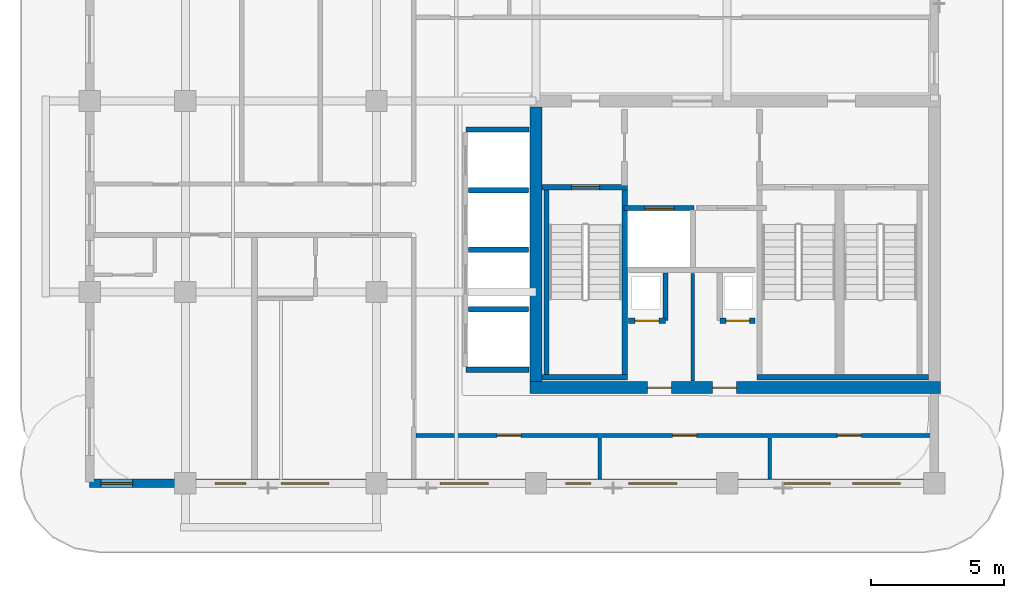
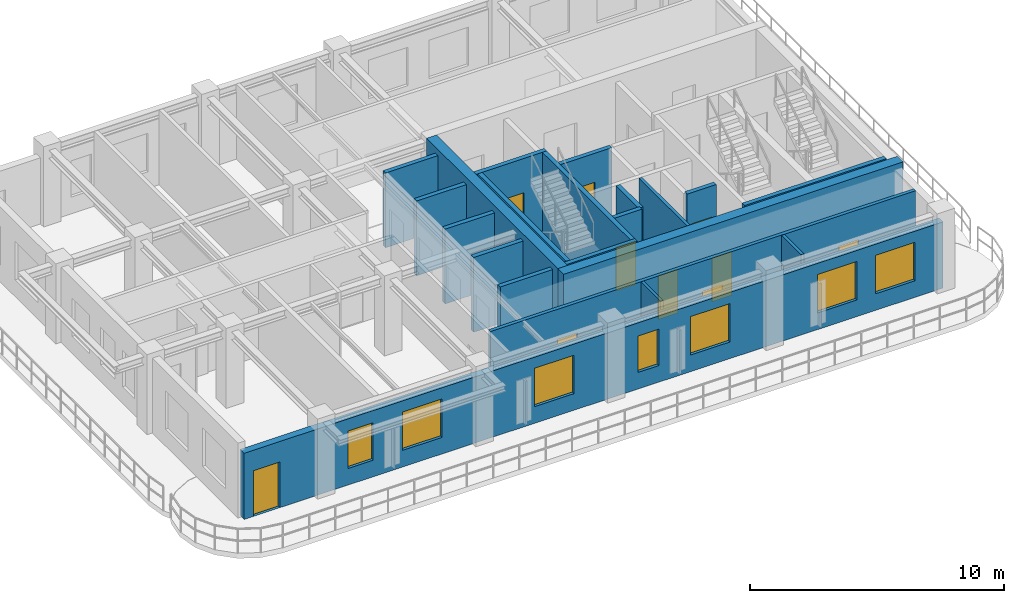
# One storey, part 3 of 8: 21 walls, 10 doors, 7 windows, 17 openings.
"""IFC4 building model written with IfcOpenShell, lengths in metres."""

from ifc_helpers import new_model, si_unit, derived_unit, direction, frame, frame_2d, origin, place, context, subcontext, project, spatial, rectangle, extrude, source, transform, mapped, material, layer, layer_set, type_object, type_shapes, element, fill, save


model = new_model("IFC4")

# Units and contexts
model_context = context("Model", 3, precision=1e-05, world=origin(), true_north=direction((0.0, 1.0)))
body_context = subcontext(model_context, "Body", "Model", "MODEL_VIEW")
ifc_project = project(units=[si_unit("LENGTHUNIT", "METRE"), si_unit("AREAUNIT", "SQUARE_METRE"), si_unit("VOLUMEUNIT", "CUBIC_METRE"), si_unit("PLANEANGLEUNIT", "RADIAN"), si_unit("MASSUNIT", "GRAM", prefix="KILO"), si_unit("THERMODYNAMICTEMPERATUREUNIT", "KELVIN"), si_unit("POWERUNIT", "WATT"), derived_unit("THERMALTRANSMITTANCEUNIT", [(si_unit("POWERUNIT", "WATT"), 1), (si_unit("AREAUNIT", "SQUARE_METRE"), -1), (si_unit("THERMODYNAMICTEMPERATUREUNIT", "KELVIN"), -1)])], contexts=[model_context])

# Site, building, storey
site_placement = place(None, origin())
site = spatial("IfcSite", under=ifc_project, at=site_placement, CompositionType="ELEMENT")
building_placement = place(site_placement, origin())
building = spatial("IfcBuilding", under=site, at=building_placement, Name="Zahravan Archway Hotel and Residences", CompositionType="ELEMENT")
storey_placement = place(building_placement, frame((0.0, 0.0, 263.5)))
storey = spatial("IfcBuildingStorey", under=building, at=storey_placement, Name="L66", CompositionType="ELEMENT", Elevation=263.5)

# Wall, openings, doors
ifc_material_1 = material(Name="Concrete C50/60", Category="concrete")
ifc_layer_1 = layer(ifc_material_1, 0.449951171875, Name="Concrete C50/60", Category="concrete")
ifc_layer_set_1 = layer_set([ifc_layer_1], Name="Concrete C50/60")
wall_type_1 = type_object("IfcWallType", Name="CW-CORE-450", PredefinedType="SHEAR", material=ifc_layer_set_1)
wall_1_placement = place(storey_placement, frame((34.574951171875, 3.60009765625, 0.0), z_axis=(0.0, 0.0, 1.0), x_axis=(1.0, 0.0, 0.0)))
wall_1 = element("IfcWall", 1, at=wall_1_placement, inside=storey, type_object=wall_type_1, Name="L66 Core A Shear S Wall 450 mm", PredefinedType="SHEAR", context=body_context, shape_type="SweptSolid", body=[
    extrude(rectangle(XDim=15.449951171875, YDim=0.449951171875, at=frame_2d((7.72509765625, 0.0))), origin(), (0.0, 0.0, 1.0), 3.85009765625),
])
opening_1_placement = place(wall_1_placement, frame((4.425048828125, 0.0, 0.0)))
opening_1 = element("IfcOpeningElement", 2, at=opening_1_placement, cuts=wall_1, Name="Opening FD-R1", PredefinedType="OPENING", context=body_context, shape_type="SweptSolid", body=[
    extrude(rectangle(XDim=0.89990234375, YDim=2.10009765625, at=frame_2d((0.449951171875, 1.050048828125))), frame((0.0, 0.23486328125, 0.0), z_axis=(0.0, -1.0, 0.0), x_axis=(1.0, 0.0, 0.0)), (0.0, 0.0, 1.0), 0.469970703125),
])
opening_2_placement = place(wall_1_placement, frame((6.875, 0.0, 0.0)))
opening_2 = element("IfcOpeningElement", 3, at=opening_2_placement, cuts=wall_1, Name="Opening FD-R1", PredefinedType="OPENING", context=body_context, shape_type="SweptSolid", body=[
    extrude(rectangle(XDim=0.89990234375, YDim=2.10009765625, at=frame_2d((0.449951171875, 1.050048828125))), frame((0.0, 0.23486328125, 0.0), z_axis=(0.0, -1.0, 0.0), x_axis=(1.0, 0.0, 0.0)), (0.0, 0.0, 1.0), 0.469970703125),
])
ifc_material_2 = material(Name="Fire-Rated Painted Steel", Category="steel")
door_type_1 = type_object("IfcDoorType", Name="FD-RISER-900", OperationType="NOTDEFINED", PredefinedType="DOOR", material=ifc_material_2)
shared_shape_1 = source(origin(), body_context, "Body", "SweptSolid", [
    extrude(rectangle(XDim=0.89990234375, YDim=2.10009765625, at=frame_2d((0.449951171875, 1.050048828125))), frame((0.0, 0.02490234375, 0.0), z_axis=(0.0, -1.0, 0.0), x_axis=(1.0, 0.0, 0.0)), (0.0, 0.0, 1.0), 0.050048828125),
])
type_shapes(door_type_1, [shared_shape_1])
door_1_placement = place(opening_1_placement, origin())
door_1 = element("IfcDoor", 4, at=door_1_placement, inside=storey, type_object=door_type_1, Name="L66 Electrical Switchgear Door", OperationType="SINGLE_SWING_RIGHT", OverallHeight=2.10009765625, OverallWidth=0.89990234375, PredefinedType="DOOR", context=body_context, shape_type="MappedRepresentation", body=[
    mapped(shared_shape_1, transform((0.0, 0.0, 0.0), scale=1.0)),
])
fill(opening_1, door_1)
door_2_placement = place(opening_2_placement, origin())
door_2 = element("IfcDoor", 5, at=door_2_placement, inside=storey, type_object=door_type_1, Name="L66 Telecom BMS Door", OperationType="SINGLE_SWING_LEFT", OverallHeight=2.10009765625, OverallWidth=0.89990234375, PredefinedType="DOOR", context=body_context, shape_type="MappedRepresentation", body=[
    mapped(shared_shape_1, transform((0.0, 0.0, 0.0), scale=1.0)),
])
fill(opening_2, door_2)

# Wall
wall_2_placement = place(storey_placement, frame((34.800048828125, 3.824951171875, 0.0), z_axis=(0.0, 0.0, 1.0), x_axis=(0.0, 1.0, 0.0)))
element("IfcWall", 6, at=wall_2_placement, inside=storey, type_object=wall_type_1, Name="L66 Core A Shear W Wall 450 mm", PredefinedType="SHEAR", context=body_context, shape_type="SweptSolid", body=[
    extrude(rectangle(XDim=10.35009765625, YDim=0.449951171875, at=frame_2d((5.175048828125, 0.0))), origin(), (0.0, 0.0, 1.0), 3.85009765625),
])

# Wall, openings, door, windows
ifc_material_3 = material(Name="Agra Buff Sandstone & Insulated Backup", Category="masonry")
ifc_layer_2 = layer(ifc_material_3, 0.320068359375, Name="Agra Buff Sandstone & Insulated Backup", Category="masonry")
ifc_layer_set_2 = layer_set([ifc_layer_2], Name="Agra Buff Sandstone & Insulated Backup")
wall_type_2 = type_object("IfcWallType", Name="EW-SAND-320", PredefinedType="SOLIDWALL", material=ifc_layer_set_2)
wall_3_placement = place(storey_placement, frame((18.0, 0.0, 0.0), z_axis=(0.0, 0.0, 1.0), x_axis=(1.0, 0.0, 0.0)))
wall_3 = element("IfcWall", 7, at=wall_3_placement, inside=storey, type_object=wall_type_2, Name="L66 Exterior Sandstone Wall WA-S", PredefinedType="SOLIDWALL", context=body_context, shape_type="SweptSolid", body=[
    extrude(rectangle(XDim=31.800048828125, YDim=0.320068359375, at=frame_2d((15.89990234375, 0.0))), origin(), (0.0, 0.0, 1.0), 3.18505859375),
])
opening_3_placement = place(wall_3_placement, frame((0.419921875, 0.0, 0.0)))
opening_3 = element("IfcOpeningElement", 8, at=opening_3_placement, cuts=wall_3, Name="Opening ED-BL1", PredefinedType="OPENING", context=body_context, shape_type="SweptSolid", body=[
    extrude(rectangle(XDim=1.199951171875, YDim=2.199951171875, at=frame_2d((0.60009765625, 1.10009765625))), frame((0.0, 0.169921875, 0.0), z_axis=(0.0, -1.0, 0.0), x_axis=(1.0, 0.0, 0.0)), (0.0, 0.0, 1.0), 0.340087890625),
])
opening_4_placement = place(wall_3_placement, frame((4.720947265625, 0.0, 0.800048828125)))
opening_4 = element("IfcOpeningElement", 9, at=opening_4_placement, cuts=wall_3, Name="Opening W-05", PredefinedType="OPENING", context=body_context, shape_type="SweptSolid", body=[
    extrude(rectangle(XDim=1.14990234375, YDim=1.800048828125, at=frame_2d((0.574951171875, 0.89990234375))), frame((0.0, 0.169921875, 0.0), z_axis=(0.0, -1.0, 0.0), x_axis=(1.0, 0.0, 0.0)), (0.0, 0.0, 1.0), 0.340087890625),
])
opening_5_placement = place(wall_3_placement, frame((7.2041015625, 0.0, 0.800048828125)))
opening_5 = element("IfcOpeningElement", 10, at=opening_5_placement, cuts=wall_3, Name="Opening W-02", PredefinedType="OPENING", context=body_context, shape_type="SweptSolid", body=[
    extrude(rectangle(XDim=1.800048828125, YDim=1.85009765625, at=frame_2d((0.89990234375, 0.925048828125))), frame((0.0, 0.169921875, 0.0), z_axis=(0.0, -1.0, 0.0), x_axis=(1.0, 0.0, 0.0)), (0.0, 0.0, 1.0), 0.340087890625),
])
opening_6_placement = place(wall_3_placement, frame((13.2041015625, 0.0, 0.800048828125)))
opening_6 = element("IfcOpeningElement", 11, at=opening_6_placement, cuts=wall_3, Name="Opening W-02", PredefinedType="OPENING", context=body_context, shape_type="SweptSolid", body=[
    extrude(rectangle(XDim=1.800048828125, YDim=1.85009765625, at=frame_2d((0.89990234375, 0.925048828125))), frame((0.0, 0.169921875, 0.0), z_axis=(0.0, -1.0, 0.0), x_axis=(1.0, 0.0, 0.0)), (0.0, 0.0, 1.0), 0.340087890625),
])
opening_7_placement = place(wall_3_placement, frame((17.9208984375, 0.0, 0.800048828125)))
opening_7 = element("IfcOpeningElement", 12, at=opening_7_placement, cuts=wall_3, Name="Opening W-04", PredefinedType="OPENING", context=body_context, shape_type="SweptSolid", body=[
    extrude(rectangle(XDim=0.949951171875, YDim=1.75, at=frame_2d((0.47509765625, 0.875))), frame((0.0, 0.169921875, 0.0), z_axis=(0.0, -1.0, 0.0), x_axis=(1.0, 0.0, 0.0)), (0.0, 0.0, 1.0), 0.340087890625),
])
opening_8_placement = place(wall_3_placement, frame((20.303955078125, 0.0, 0.800048828125)))
opening_8 = element("IfcOpeningElement", 13, at=opening_8_placement, cuts=wall_3, Name="Opening W-02", PredefinedType="OPENING", context=body_context, shape_type="SweptSolid", body=[
    extrude(rectangle(XDim=1.800048828125, YDim=1.85009765625, at=frame_2d((0.89990234375, 0.925048828125))), frame((0.0, 0.169921875, 0.0), z_axis=(0.0, -1.0, 0.0), x_axis=(1.0, 0.0, 0.0)), (0.0, 0.0, 1.0), 0.340087890625),
])
opening_9_placement = place(wall_3_placement, frame((26.0810546875, 0.0, 0.800048828125)))
opening_9 = element("IfcOpeningElement", 14, at=opening_9_placement, cuts=wall_3, Name="Opening W-02", PredefinedType="OPENING", context=body_context, shape_type="SweptSolid", body=[
    extrude(rectangle(XDim=1.800048828125, YDim=1.85009765625, at=frame_2d((0.89990234375, 0.925048828125))), frame((0.0, 0.169921875, 0.0), z_axis=(0.0, -1.0, 0.0), x_axis=(1.0, 0.0, 0.0)), (0.0, 0.0, 1.0), 0.340087890625),
])
opening_10_placement = place(wall_3_placement, frame((28.72705078125, 0.0, 0.800048828125)))
opening_10 = element("IfcOpeningElement", 15, at=opening_10_placement, cuts=wall_3, Name="Opening W-02", PredefinedType="OPENING", context=body_context, shape_type="SweptSolid", body=[
    extrude(rectangle(XDim=1.800048828125, YDim=1.85009765625, at=frame_2d((0.89990234375, 0.925048828125))), frame((0.0, 0.169921875, 0.0), z_axis=(0.0, -1.0, 0.0), x_axis=(1.0, 0.0, 0.0)), (0.0, 0.0, 1.0), 0.340087890625),
])
ifc_material_4 = material(Name="Bronze-Anodized Glazed Aluminium", Category="aluminium")
door_type_2 = type_object("IfcDoorType", Name="ED-BALC-1200", OperationType="SLIDING_TO_LEFT", PredefinedType="DOOR", material=ifc_material_4)
shared_shape_2 = source(origin(), body_context, "Body", "SweptSolid", [
    extrude(rectangle(XDim=1.199951171875, YDim=2.199951171875, at=frame_2d((0.60009765625, 1.10009765625))), frame((0.0, 0.02490234375, 0.0), z_axis=(0.0, -1.0, 0.0), x_axis=(1.0, 0.0, 0.0)), (0.0, 0.0, 1.0), 0.050048828125),
])
type_shapes(door_type_2, [shared_shape_2])
door_3_placement = place(opening_3_placement, origin())
door_3 = element("IfcDoor", 16, at=door_3_placement, inside=storey, type_object=door_type_2, Name="L66 Outdoor Access Sliding Door (SLB-BAL-L66-SA)", OperationType="SLIDING_TO_LEFT", OverallHeight=2.199951171875, OverallWidth=1.199951171875, PredefinedType="DOOR", context=body_context, shape_type="MappedRepresentation", body=[
    mapped(shared_shape_2, transform((0.0, 0.0, 0.0), scale=1.0)),
])
fill(opening_3, door_3)
ifc_material_5 = material(Name="Bronze-Anodized Thermal-Break Aluminium & Low-E Glass", Category="aluminium")
window_type_1 = type_object("IfcWindowType", Name="WIN-NAR-950", PartitioningType="SINGLE_PANEL", PredefinedType="WINDOW", material=ifc_material_5)
shared_shape_3 = source(origin(), body_context, "Body", "SweptSolid", [
    extrude(rectangle(XDim=0.949951171875, YDim=1.75, at=frame_2d((0.47509765625, 0.875))), frame((0.0, 0.030029296875, 0.0), z_axis=(0.0, -1.0, 0.0), x_axis=(1.0, 0.0, 0.0)), (0.0, 0.0, 1.0), 0.06005859375),
])
type_shapes(window_type_1, [shared_shape_3])
window_1_placement = place(opening_7_placement, origin())
window_1 = element("IfcWindow", 17, at=window_1_placement, inside=storey, type_object=window_type_1, Name="L66 Loggia Window 04", OverallHeight=1.75, OverallWidth=0.949951171875, PartitioningType="SINGLE_PANEL", PredefinedType="WINDOW", context=body_context, shape_type="MappedRepresentation", body=[
    mapped(shared_shape_3, transform((0.0, 0.0, 0.0), scale=1.0)),
])
fill(opening_7, window_1)
window_type_2 = type_object("IfcWindowType", Name="WIN-TWR-1800", PartitioningType="DOUBLE_PANEL_VERTICAL", PredefinedType="WINDOW", material=ifc_material_5)
shared_shape_4 = source(origin(), body_context, "Body", "SweptSolid", [
    extrude(rectangle(XDim=1.800048828125, YDim=1.85009765625, at=frame_2d((0.89990234375, 0.925048828125))), frame((0.0, 0.030029296875, 0.0), z_axis=(0.0, -1.0, 0.0), x_axis=(1.0, 0.0, 0.0)), (0.0, 0.0, 1.0), 0.06005859375),
])
type_shapes(window_type_2, [shared_shape_4])
window_2_placement = place(opening_5_placement, origin())
window_2 = element("IfcWindow", 18, at=window_2_placement, inside=storey, type_object=window_type_2, Name="L66 Loggia Window 02", OverallHeight=1.85009765625, OverallWidth=1.800048828125, PartitioningType="DOUBLE_PANEL_VERTICAL", PredefinedType="WINDOW", context=body_context, shape_type="MappedRepresentation", body=[
    mapped(shared_shape_4, transform((0.0, 0.0, 0.0), scale=1.0)),
])
fill(opening_5, window_2)
window_3_placement = place(opening_6_placement, origin())
window_3 = element("IfcWindow", 19, at=window_3_placement, inside=storey, type_object=window_type_2, Name="L66 Loggia Window 03", OverallHeight=1.85009765625, OverallWidth=1.800048828125, PartitioningType="DOUBLE_PANEL_VERTICAL", PredefinedType="WINDOW", context=body_context, shape_type="MappedRepresentation", body=[
    mapped(shared_shape_4, transform((0.0, 0.0, 0.0), scale=1.0)),
])
fill(opening_6, window_3)
window_4_placement = place(opening_8_placement, origin())
window_4 = element("IfcWindow", 20, at=window_4_placement, inside=storey, type_object=window_type_2, Name="L66 Loggia Window 05", OverallHeight=1.85009765625, OverallWidth=1.800048828125, PartitioningType="DOUBLE_PANEL_VERTICAL", PredefinedType="WINDOW", context=body_context, shape_type="MappedRepresentation", body=[
    mapped(shared_shape_4, transform((0.0, 0.0, 0.0), scale=1.0)),
])
fill(opening_8, window_4)
window_5_placement = place(opening_9_placement, origin())
window_5 = element("IfcWindow", 21, at=window_5_placement, inside=storey, type_object=window_type_2, Name="L66 Loggia Window 06", OverallHeight=1.85009765625, OverallWidth=1.800048828125, PartitioningType="DOUBLE_PANEL_VERTICAL", PredefinedType="WINDOW", context=body_context, shape_type="MappedRepresentation", body=[
    mapped(shared_shape_4, transform((0.0, 0.0, 0.0), scale=1.0)),
])
fill(opening_9, window_5)
window_6_placement = place(opening_10_placement, origin())
window_6 = element("IfcWindow", 22, at=window_6_placement, inside=storey, type_object=window_type_2, Name="L66 Loggia Window 07", OverallHeight=1.85009765625, OverallWidth=1.800048828125, PartitioningType="DOUBLE_PANEL_VERTICAL", PredefinedType="WINDOW", context=body_context, shape_type="MappedRepresentation", body=[
    mapped(shared_shape_4, transform((0.0, 0.0, 0.0), scale=1.0)),
])
fill(opening_10, window_6)
window_type_3 = type_object("IfcWindowType", Name="WIN-TWR-1150", PartitioningType="SINGLE_PANEL", PredefinedType="WINDOW", material=ifc_material_5)
shared_shape_5 = source(origin(), body_context, "Body", "SweptSolid", [
    extrude(rectangle(XDim=1.14990234375, YDim=1.800048828125, at=frame_2d((0.574951171875, 0.89990234375))), frame((0.0, 0.030029296875, 0.0), z_axis=(0.0, -1.0, 0.0), x_axis=(1.0, 0.0, 0.0)), (0.0, 0.0, 1.0), 0.06005859375),
])
type_shapes(window_type_3, [shared_shape_5])
window_7_placement = place(opening_4_placement, origin())
window_7 = element("IfcWindow", 23, at=window_7_placement, inside=storey, type_object=window_type_3, Name="L66 Loggia Window 01", OverallHeight=1.800048828125, OverallWidth=1.14990234375, PartitioningType="SINGLE_PANEL", PredefinedType="WINDOW", context=body_context, shape_type="MappedRepresentation", body=[
    mapped(shared_shape_5, transform((0.0, 0.0, 0.0), scale=1.0)),
])
fill(opening_4, window_7)

# Wall, openings, doors
ifc_material_6 = material(Name="Fire-Rated Gypsum & Concrete Block", Category="concrete")
ifc_layer_3 = layer(ifc_material_6, 0.159912109375, Name="Fire-Rated Gypsum & Concrete Block", Category="concrete")
ifc_layer_set_3 = layer_set([ifc_layer_3], Name="Fire-Rated Gypsum & Concrete Block")
wall_type_3 = type_object("IfcWallType", Name="PW-CORR-160", PredefinedType="PARTITIONING", material=ifc_layer_set_3)
wall_4_placement = place(storey_placement, frame((30.2900390625, 1.800048828125, 0.0), z_axis=(0.0, 0.0, 1.0), x_axis=(1.0, 0.0, 0.0)))
wall_4 = element("IfcWall", 24, at=wall_4_placement, inside=storey, type_object=wall_type_3, Name="L66 Partition WA-SRS", PredefinedType="PARTITIONING", context=body_context, shape_type="SweptSolid", body=[
    extrude(rectangle(XDim=19.369873046875, YDim=0.159912109375, at=frame_2d((9.68505859375, 0.0))), origin(), (0.0, 0.0, 1.0), 3.60009765625),
])
opening_11_placement = place(wall_4_placement, frame((3.0537109375, 0.0, 0.0)))
opening_11 = element("IfcOpeningElement", 25, at=opening_11_placement, cuts=wall_4, Name="Opening D-I2", PredefinedType="OPENING", context=body_context, shape_type="SweptSolid", body=[
    extrude(rectangle(XDim=0.89990234375, YDim=2.14990234375, at=frame_2d((0.449951171875, 1.074951171875))), frame((0.0, 0.08984375, 0.0), z_axis=(0.0, -1.0, 0.0), x_axis=(1.0, 0.0, 0.0)), (0.0, 0.0, 1.0), 0.179931640625),
])
opening_12_placement = place(wall_4_placement, frame((9.659912109375, 0.0, 0.0)))
opening_12 = element("IfcOpeningElement", 26, at=opening_12_placement, cuts=wall_4, Name="Opening D-I2", PredefinedType="OPENING", context=body_context, shape_type="SweptSolid", body=[
    extrude(rectangle(XDim=0.89990234375, YDim=2.14990234375, at=frame_2d((0.449951171875, 1.074951171875))), frame((0.0, 0.08984375, 0.0), z_axis=(0.0, -1.0, 0.0), x_axis=(1.0, 0.0, 0.0)), (0.0, 0.0, 1.0), 0.179931640625),
])
opening_13_placement = place(wall_4_placement, frame((15.860107421875, 0.0, 0.0)))
opening_13 = element("IfcOpeningElement", 27, at=opening_13_placement, cuts=wall_4, Name="Opening D-I2", PredefinedType="OPENING", context=body_context, shape_type="SweptSolid", body=[
    extrude(rectangle(XDim=0.89990234375, YDim=2.14990234375, at=frame_2d((0.449951171875, 1.074951171875))), frame((0.0, 0.08984375, 0.0), z_axis=(0.0, -1.0, 0.0), x_axis=(1.0, 0.0, 0.0)), (0.0, 0.0, 1.0), 0.179931640625),
])
ifc_material_7 = material(Name="Hardwood Veneer Timber", Category="wood")
door_type_3 = type_object("IfcDoorType", Name="ID-INT-900", OperationType="NOTDEFINED", PredefinedType="DOOR", material=ifc_material_7)
shared_shape_6 = source(origin(), body_context, "Body", "SweptSolid", [
    extrude(rectangle(XDim=0.89990234375, YDim=2.14990234375, at=frame_2d((0.449951171875, 1.074951171875))), frame((0.0, 0.02490234375, 0.0), z_axis=(0.0, -1.0, 0.0), x_axis=(1.0, 0.0, 0.0)), (0.0, 0.0, 1.0), 0.050048828125),
])
type_shapes(door_type_3, [shared_shape_6])
door_4_placement = place(opening_11_placement, origin())
door_4 = element("IfcDoor", 28, at=door_4_placement, inside=storey, type_object=door_type_3, Name="L66 South Office Door", OperationType="SINGLE_SWING_LEFT", OverallHeight=2.14990234375, OverallWidth=0.89990234375, PredefinedType="DOOR", context=body_context, shape_type="MappedRepresentation", body=[
    mapped(shared_shape_6, transform((0.0, 0.0, 0.0), scale=1.0)),
])
fill(opening_11, door_4)
door_5_placement = place(opening_12_placement, origin())
door_5 = element("IfcDoor", 29, at=door_5_placement, inside=storey, type_object=door_type_3, Name="L66 South Meeting Door", OperationType="SINGLE_SWING_RIGHT", OverallHeight=2.14990234375, OverallWidth=0.89990234375, PredefinedType="DOOR", context=body_context, shape_type="MappedRepresentation", body=[
    mapped(shared_shape_6, transform((0.0, 0.0, 0.0), scale=1.0)),
])
fill(opening_12, door_5)
door_6_placement = place(opening_13_placement, origin())
door_6 = element("IfcDoor", 30, at=door_6_placement, inside=storey, type_object=door_type_3, Name="L66 South Prayer Alcove Door", OperationType="SINGLE_SWING_LEFT", OverallHeight=2.14990234375, OverallWidth=0.89990234375, PredefinedType="DOOR", context=body_context, shape_type="MappedRepresentation", body=[
    mapped(shared_shape_6, transform((0.0, 0.0, 0.0), scale=1.0)),
])
fill(opening_13, door_6)

# Walls
ifc_material_8 = material(Name="Acoustic Stud Partition")
ifc_layer_4 = layer(ifc_material_8, 0.125, Name="Acoustic Stud Partition")
ifc_layer_set_4 = layer_set([ifc_layer_4], Name="Acoustic Stud Partition")
wall_type_4 = type_object("IfcWallType", Name="PW-INT-125", PredefinedType="PARTITIONING", material=ifc_layer_set_4)
for number, where, z_axis, x_axis, name in (
    (31, (37.199951171875, 0.16796875, 0.0), (0.0, 0.0, 1.0), (0.0, 1.0, 0.0), "L66 Partition S-DIV2A"),
    (32, (43.60009765625, 0.16796875, 0.0), (0.0, 0.0, 1.0), (0.0, 1.0, 0.0), "L66 Partition S-DIV2B"),
):
    element("IfcWall", number, at=place(storey_placement, frame(where, z_axis=z_axis, x_axis=x_axis)), inside=storey, type_object=wall_type_4, Name=name, PredefinedType="PARTITIONING", context=body_context, shape_type="SweptSolid", body=[
        extrude(rectangle(XDim=1.5419921875, YDim=0.125, at=frame_2d((0.77099609375, 0.0))), origin(), (0.0, 0.0, 1.0), 3.60009765625),
    ])

# Wall, opening, door
ifc_layer_5 = layer(ifc_material_6, 0.199951171875, Name="Fire-Rated Gypsum & Concrete Block", Category="concrete")
ifc_layer_set_5 = layer_set([ifc_layer_5], Name="Fire-Rated Gypsum & Concrete Block")
wall_type_5 = type_object("IfcWallType", Name="PW-SHAFT-200", PredefinedType="PARTITIONING", material=ifc_layer_set_5)
wall_5_placement = place(storey_placement, frame((38.2900390625, 6.1201171875, 0.0), z_axis=(0.0, 0.0, 1.0), x_axis=(1.0, 0.0, 0.0)))
wall_5 = element("IfcWall", 33, at=wall_5_placement, inside=storey, type_object=wall_type_5, Name="L66 Partition CA-SMKS", PredefinedType="PARTITIONING", context=body_context, shape_type="SweptSolid", body=[
    extrude(rectangle(XDim=1.3798828125, YDim=0.199951171875, at=frame_2d((0.68994140625, 0.0))), origin(), (0.0, 0.0, 1.0), 3.60009765625),
])
opening_14_placement = place(wall_5_placement, frame((0.239990234375, 0.0, 0.0)))
opening_14 = element("IfcOpeningElement", 34, at=opening_14_placement, cuts=wall_5, Name="Opening FD-R1", PredefinedType="OPENING", context=body_context, shape_type="SweptSolid", body=[
    extrude(rectangle(XDim=0.89990234375, YDim=2.10009765625, at=frame_2d((0.449951171875, 1.050048828125))), frame((0.0, 0.10986328125, 0.0), z_axis=(0.0, -1.0, 0.0), x_axis=(1.0, 0.0, 0.0)), (0.0, 0.0, 1.0), 0.219970703125),
])
door_7_placement = place(opening_14_placement, origin())
door_7 = element("IfcDoor", 35, at=door_7_placement, inside=storey, type_object=door_type_1, Name="L66 Smoke Riser Access Door", OperationType="SINGLE_SWING_RIGHT", OverallHeight=2.10009765625, OverallWidth=0.89990234375, PredefinedType="DOOR", context=body_context, shape_type="MappedRepresentation", body=[
    mapped(shared_shape_1, transform((0.0, 0.0, 0.0), scale=1.0)),
])
fill(opening_14, door_7)

# Wall
wall_6_placement = place(storey_placement, frame((39.679931640625, 6.1298828125, 0.0), z_axis=(0.0, 0.0, 1.0), x_axis=(0.0, 1.0, 0.0)))
element("IfcWall", 36, at=wall_6_placement, inside=storey, type_object=wall_type_5, Name="L66 Partition CA-SMKE", PredefinedType="PARTITIONING", context=body_context, shape_type="SweptSolid", body=[
    extrude(rectangle(XDim=1.7900390625, YDim=0.199951171875, at=frame_2d((0.89501953125, 0.0))), origin(), (0.0, 0.0, 1.0), 3.60009765625),
])

# Wall, opening, door
wall_7_placement = place(storey_placement, frame((41.72998046875, 6.1201171875, 0.0), z_axis=(0.0, 0.0, 1.0), x_axis=(1.0, 0.0, 0.0)))
wall_7 = element("IfcWall", 37, at=wall_7_placement, inside=storey, type_object=wall_type_5, Name="L66 Partition CA-MEPS", PredefinedType="PARTITIONING", context=body_context, shape_type="SweptSolid", body=[
    extrude(rectangle(XDim=1.320068359375, YDim=0.199951171875, at=frame_2d((0.66015625, 0.0))), origin(), (0.0, 0.0, 1.0), 3.60009765625),
])
opening_15_placement = place(wall_7_placement, frame((0.219970703125, 0.0, 0.0)))
opening_15 = element("IfcOpeningElement", 38, at=opening_15_placement, cuts=wall_7, Name="Opening FD-R1", PredefinedType="OPENING", context=body_context, shape_type="SweptSolid", body=[
    extrude(rectangle(XDim=0.89990234375, YDim=2.10009765625, at=frame_2d((0.449951171875, 1.050048828125))), frame((0.0, 0.10986328125, 0.0), z_axis=(0.0, -1.0, 0.0), x_axis=(1.0, 0.0, 0.0)), (0.0, 0.0, 1.0), 0.219970703125),
])
door_8_placement = place(opening_15_placement, origin())
door_8 = element("IfcDoor", 39, at=door_8_placement, inside=storey, type_object=door_type_1, Name="L66 MEP Riser Access Door", OperationType="SINGLE_SWING_LEFT", OverallHeight=2.10009765625, OverallWidth=0.89990234375, PredefinedType="DOOR", context=body_context, shape_type="MappedRepresentation", body=[
    mapped(shared_shape_1, transform((0.0, 0.0, 0.0), scale=1.0)),
])
fill(opening_15, door_8)

# Walls
for number, where, z_axis, x_axis, name in (
    (40, (32.159912109375, 4.280029296875, 0.0), (0.0, 0.0, 1.0), (1.0, 0.0, 0.0), "L66 Partition B3-S"),
    (41, (32.159912109375, 13.320068359375, 0.0), (0.0, 0.0, 1.0), (1.0, 0.0, 0.0), "L66 Partition B3-N"),
):
    element("IfcWall", number, at=place(storey_placement, frame(where, z_axis=z_axis, x_axis=x_axis)), inside=storey, type_object=wall_type_5, Name=name, PredefinedType="PARTITIONING", context=body_context, shape_type="SweptSolid", body=[
        extrude(rectangle(XDim=2.385009765625, YDim=0.199951171875, at=frame_2d((1.1923828125, 0.0))), origin(), (0.0, 0.0, 1.0), 3.60009765625),
    ])
for number, where, z_axis, x_axis, name in (
    (42, (32.260009765625, 6.56005859375, 0.0), (0.0, 0.0, 1.0), (1.0, 0.0, 0.0), "L66 Partition B3-D"),
    (43, (32.260009765625, 8.800048828125, 0.0), (0.0, 0.0, 1.0), (1.0, 0.0, 0.0), "L66 Partition B3-D"),
    (44, (32.260009765625, 11.0400390625, 0.0), (0.0, 0.0, 1.0), (1.0, 0.0, 0.0), "L66 Partition B3-D"),
):
    element("IfcWall", number, at=place(storey_placement, frame(where, z_axis=z_axis, x_axis=x_axis)), inside=storey, type_object=wall_type_5, Name=name, PredefinedType="PARTITIONING", context=body_context, shape_type="SweptSolid", body=[
        extrude(rectangle(XDim=2.2548828125, YDim=0.199951171875, at=frame_2d((1.12744140625, 0.0))), origin(), (0.0, 0.0, 1.0), 3.60009765625),
    ])

# Wall, opening, door
wall_8_placement = place(storey_placement, frame((38.1201171875, 10.3701171875, 0.0), z_axis=(0.0, 0.0, 1.0), x_axis=(1.0, 0.0, 0.0)))
wall_8 = element("IfcWall", 45, at=wall_8_placement, inside=storey, type_object=wall_type_5, Name="L66 Lift FL-1 Front Wall", PredefinedType="PARTITIONING", context=body_context, shape_type="SweptSolid", body=[
    extrude(rectangle(XDim=2.639892578125, YDim=0.199951171875, at=frame_2d((1.31982421875, 0.0))), origin(), (0.0, 0.0, 1.0), 3.60009765625),
])
opening_16_placement = place(wall_8_placement, frame((0.77001953125, 0.0, 0.0)))
opening_16 = element("IfcOpeningElement", 46, at=opening_16_placement, cuts=wall_8, Name="Opening LD", PredefinedType="OPENING", context=body_context, shape_type="SweptSolid", body=[
    extrude(rectangle(XDim=1.10009765625, YDim=2.199951171875, at=frame_2d((0.550048828125, 1.10009765625))), frame((0.0, 0.10986328125, 0.0), z_axis=(0.0, -1.0, 0.0), x_axis=(1.0, 0.0, 0.0)), (0.0, 0.0, 1.0), 0.219970703125),
])
ifc_material_9 = material(Name="Brushed Stainless Steel", Category="steel")
door_type_4 = type_object("IfcDoorType", Name="DR-LIFT-LD", OperationType="SLIDING_TO_LEFT", PredefinedType="DOOR", material=ifc_material_9)
shared_shape_7 = source(origin(), body_context, "Body", "SweptSolid", [
    extrude(rectangle(XDim=1.10009765625, YDim=2.199951171875, at=frame_2d((0.550048828125, 1.10009765625))), frame((0.0, 0.02490234375, 0.0), z_axis=(0.0, -1.0, 0.0), x_axis=(1.0, 0.0, 0.0)), (0.0, 0.0, 1.0), 0.050048828125),
])
type_shapes(door_type_4, [shared_shape_7])
door_9_placement = place(opening_16_placement, origin())
door_9 = element("IfcDoor", 47, at=door_9_placement, inside=storey, type_object=door_type_4, Name="L66 Lift FL-1 Sliding Landing Door", OperationType="SLIDING_TO_LEFT", OverallHeight=2.199951171875, OverallWidth=1.10009765625, PredefinedType="DOOR", context=body_context, shape_type="MappedRepresentation", body=[
    mapped(shared_shape_7, transform((0.0, 0.0, 0.0), scale=1.0)),
])
fill(opening_16, door_9)

# Walls
ifc_material_10 = material(Name="Moisture-Resistant Blockwork", Category="masonry")
ifc_layer_6 = layer(ifc_material_10, 0.139892578125, Name="Moisture-Resistant Blockwork", Category="masonry")
ifc_layer_set_6 = layer_set([ifc_layer_6], Name="Moisture-Resistant Blockwork")
wall_type_6 = type_object("IfcWallType", Name="PW-WET-140", PredefinedType="PARTITIONING", material=ifc_layer_set_6)
wall_9_placement = place(storey_placement, frame((40.699951171875, 3.844970703125, 0.0), z_axis=(0.0, 0.0, 1.0), x_axis=(0.0, 1.0, 0.0)))
element("IfcWall", 48, at=wall_9_placement, inside=storey, type_object=wall_type_6, Name="L66 Partition CA-CV0", PredefinedType="PARTITIONING", context=body_context, shape_type="SweptSolid", body=[
    extrude(rectangle(XDim=4.06494140625, YDim=0.139892578125, at=frame_2d((2.032470703125, 0.0))), origin(), (0.0, 0.0, 1.0), 3.60009765625),
])
ifc_layer_7 = layer(ifc_material_1, 0.199951171875, Name="Concrete C50/60", Category="concrete")
ifc_layer_set_7 = layer_set([ifc_layer_7], Name="Concrete C50/60")
wall_type_7 = type_object("IfcWallType", Name="SW-STAIR-200", PredefinedType="SHEAR", material=ifc_layer_set_7)
wall_10_placement = place(storey_placement, frame((35.02490234375, 4.0, 0.0), z_axis=(0.0, 0.0, 1.0), x_axis=(1.0, 0.0, 0.0)))
element("IfcWall", 49, at=wall_10_placement, inside=storey, type_object=wall_type_7, Name="L66 Stairwell RC Wall CA-SA1S", PredefinedType="SHEAR", context=body_context, shape_type="SweptSolid", body=[
    extrude(rectangle(XDim=3.215087890625, YDim=0.199951171875, at=frame_2d((1.607421875, 0.0))), origin(), (0.0, 0.0, 1.0), 3.85009765625),
])
for number, where, z_axis, x_axis, name in (
    (50, (35.199951171875, 4.10009765625, 0.0), (0.0, 0.0, 1.0), (0.0, 1.0, 0.0), "L66 Stairwell RC Wall CA-SA1W"),
    (51, (38.139892578125, 4.10009765625, 0.0), (0.0, 0.0, 1.0), (0.0, 1.0, 0.0), "L66 Stairwell RC Wall CA-SA1E"),
):
    element("IfcWall", number, at=place(storey_placement, frame(where, z_axis=z_axis, x_axis=x_axis)), inside=storey, type_object=wall_type_7, Name=name, PredefinedType="SHEAR", context=body_context, shape_type="SweptSolid", body=[
        extrude(rectangle(XDim=6.949951171875, YDim=0.199951171875, at=frame_2d((3.47509765625, 0.0))), origin(), (0.0, 0.0, 1.0), 3.85009765625),
    ])

# Wall, opening, door
wall_11_placement = place(storey_placement, frame((35.02490234375, 11.14990234375, 0.0), z_axis=(0.0, 0.0, 1.0), x_axis=(1.0, 0.0, 0.0)))
wall_11 = element("IfcWall", 52, at=wall_11_placement, inside=storey, type_object=wall_type_7, Name="L66 Stairwell RC Wall CA-SA1N", PredefinedType="SHEAR", context=body_context, shape_type="SweptSolid", body=[
    extrude(rectangle(XDim=3.215087890625, YDim=0.199951171875, at=frame_2d((1.607421875, 0.0))), origin(), (0.0, 0.0, 1.0), 3.85009765625),
])
opening_17_placement = place(wall_11_placement, frame((1.1201171875, 0.0, 0.0)))
opening_17 = element("IfcOpeningElement", 53, at=opening_17_placement, cuts=wall_11, Name="Opening FD-S1", PredefinedType="OPENING", context=body_context, shape_type="SweptSolid", body=[
    extrude(rectangle(XDim=1.050048828125, YDim=2.199951171875, at=frame_2d((0.52490234375, 1.10009765625))), frame((0.0, 0.10986328125, 0.0), z_axis=(0.0, -1.0, 0.0), x_axis=(1.0, 0.0, 0.0)), (0.0, 0.0, 1.0), 0.219970703125),
])
door_type_5 = type_object("IfcDoorType", Name="FD-STAIR-1100", OperationType="NOTDEFINED", PredefinedType="DOOR", material=ifc_material_2)
shared_shape_8 = source(origin(), body_context, "Body", "SweptSolid", [
    extrude(rectangle(XDim=1.050048828125, YDim=2.199951171875, at=frame_2d((0.52490234375, 1.10009765625))), frame((0.0, 0.02490234375, 0.0), z_axis=(0.0, -1.0, 0.0), x_axis=(1.0, 0.0, 0.0)), (0.0, 0.0, 1.0), 0.050048828125),
])
type_shapes(door_type_5, [shared_shape_8])
door_10_placement = place(opening_17_placement, origin())
door_10 = element("IfcDoor", 54, at=door_10_placement, inside=storey, type_object=door_type_5, Name="L66 Stair ST-A1 Door", OperationType="SINGLE_SWING_LEFT", OverallHeight=2.199951171875, OverallWidth=1.050048828125, PredefinedType="DOOR", context=body_context, shape_type="MappedRepresentation", body=[
    mapped(shared_shape_8, transform((0.0, 0.0, 0.0), scale=1.0)),
])
fill(opening_17, door_10)

# Wall
wall_12_placement = place(storey_placement, frame((43.1201171875, 4.0, 0.0), z_axis=(0.0, 0.0, 1.0), x_axis=(1.0, 0.0, 0.0)))
element("IfcWall", 55, at=wall_12_placement, inside=storey, type_object=wall_type_7, Name="L66 Stairwell RC Wall CA-SA23S", PredefinedType="SHEAR", context=body_context, shape_type="SweptSolid", body=[
    extrude(rectangle(XDim=6.454833984375, YDim=0.199951171875, at=frame_2d((3.2275390625, 0.0))), origin(), (0.0, 0.0, 1.0), 3.85009765625),
])

save(model, "model.ifc")
